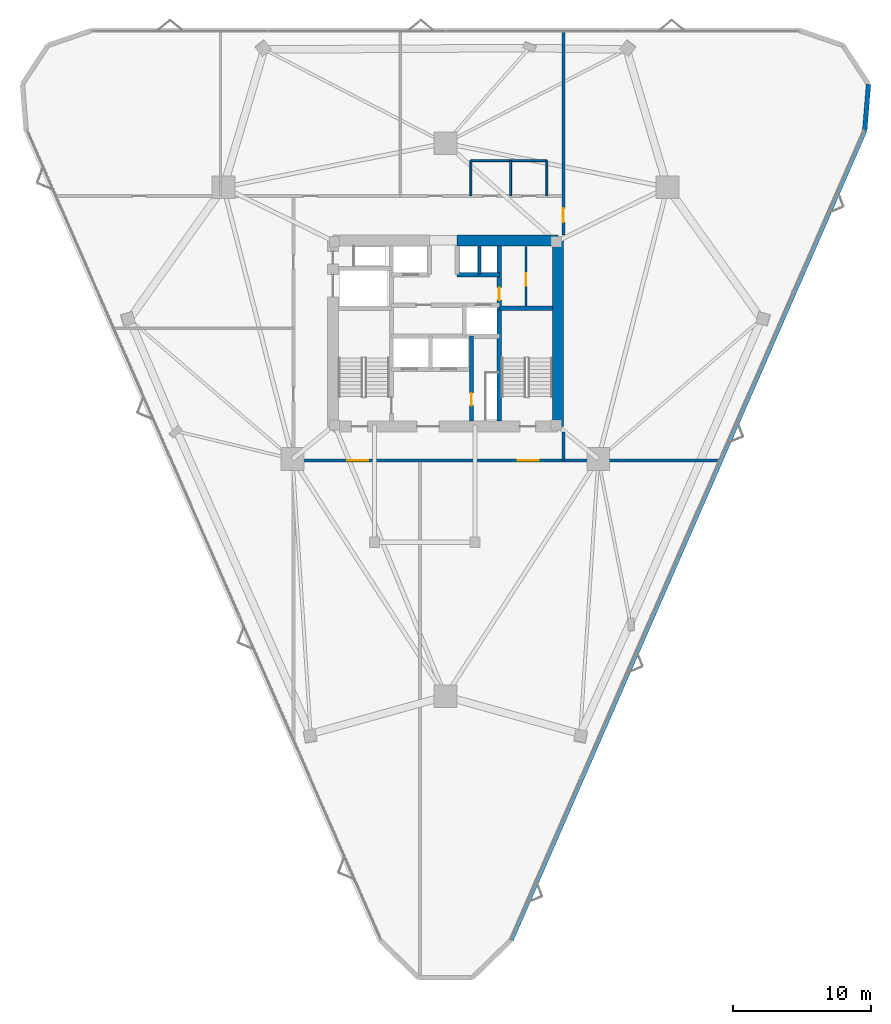
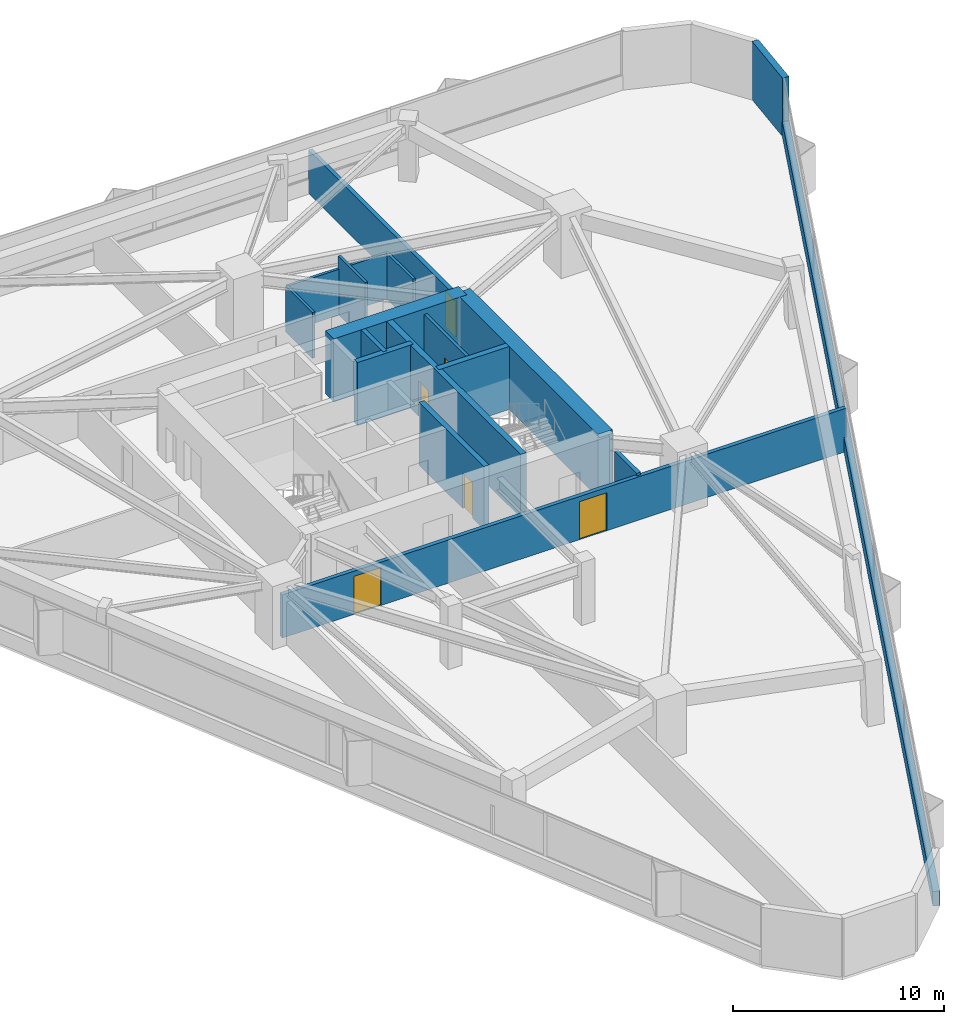
# One storey, part 14 of 16: 17 walls, 6 doors, 6 openings.
"""IFC4 building model written with IfcOpenShell, lengths in metres."""

import ifcopenshell
import ifcopenshell.guid

model = None  # the IFC model being written
_history = None  # IfcOwnerHistory: only IFC2X3 demands one
_inside = {}  # id of a spatial element -> (the spatial element, [elements in it])
_under = {}  # id of a project, library or spatial element -> (it, [spatial elements below it])
_declared = {}  # id of a project -> (the project, [libraries it declares])
_typed = {}  # id of a type object -> (the type object, [elements of that type])
_made_of = {}  # id of a material, layer set ... -> (it, [elements and type objects made of it])


def new_model(schema):
    """Start an empty IFC model of exactly this schema.

    Asked for "IFC4X3", IfcOpenShell would pick the latest addendum, in which some entities
    have other attributes; the version numbers below select the first issue.
    IFC2X3 requires an IfcOwnerHistory on every rooted entity: one is made here for all.
    """
    global model, _history
    if schema == "IFC4X3":
        model = ifcopenshell.file(schema_version=(4, 3, 0, 0))
    else:
        model = ifcopenshell.file(schema=schema)
    _inside.clear()
    _under.clear()
    _declared.clear()
    _typed.clear()
    _made_of.clear()
    _history = None
    if model.schema == "IFC2X3":
        org = make("IfcOrganization", Name="unknown")
        user = make(
            "IfcPersonAndOrganization",
            ThePerson=make("IfcPerson", FamilyName="unknown"),
            TheOrganization=org,
        )
        app = make(
            "IfcApplication",
            ApplicationDeveloper=org,
            Version="unknown",
            ApplicationFullName="unknown",
            ApplicationIdentifier="unknown",
        )
        _history = make(
            "IfcOwnerHistory",
            OwningUser=user,
            OwningApplication=app,
            ChangeAction="ADDED",
            CreationDate=0,
        )
    return model


def make(cls, **values):
    """One entity of the class cls with the attributes given. An attribute that is None is left unset."""
    return model.create_entity(
        cls, **{name: value for name, value in values.items() if value is not None}
    )


def rooted(cls, **values):
    """An entity with a GlobalId (a new one), such as an element, a storey or a relation."""
    return make(cls, GlobalId=ifcopenshell.guid.new(), OwnerHistory=_history, **values)


def si_unit(unit_type, name, prefix=None):
    """IfcSIUnit, for example si_unit("LENGTHUNIT", "METRE", prefix="MILLI")."""
    return make("IfcSIUnit", UnitType=unit_type, Prefix=prefix, Name=name)


def assignment(units):
    """IfcUnitAssignment: the units of a project."""
    return None if units is None else make("IfcUnitAssignment", Units=units)


def point(xyz):
    """IfcCartesianPoint."""
    return None if xyz is None else make("IfcCartesianPoint", Coordinates=xyz)


def direction(xyz):
    """IfcDirection."""
    return None if xyz is None else make("IfcDirection", DirectionRatios=xyz)


def frame(location, z_axis=None, x_axis=None):
    """IfcAxis2Placement3D, a coordinate frame: its origin and axes. An axis left out is left unset."""
    return make(
        "IfcAxis2Placement3D",
        Location=point(location),
        Axis=direction(z_axis),
        RefDirection=direction(x_axis),
    )


def frame_2d(location, x_axis=None):
    """IfcAxis2Placement2D, a coordinate frame in the plane: its origin and x axis."""
    return make(
        "IfcAxis2Placement2D", Location=point(location), RefDirection=direction(x_axis)
    )


def origin():
    """The frame at (0, 0, 0) with its axes left unset."""
    return frame((0.0, 0.0, 0.0))


def place(relative_to, where):
    """IfcLocalPlacement: puts the frame where relative to a parent placement (None: the world)."""
    return make(
        "IfcLocalPlacement", PlacementRelTo=relative_to, RelativePlacement=where
    )


def context(
    kind, dimensions, precision=None, world=None, true_north=None, identifier=None
):
    """IfcGeometricRepresentationContext, for example the 3D "Model" context."""
    return make(
        "IfcGeometricRepresentationContext",
        ContextIdentifier=identifier,
        ContextType=kind,
        CoordinateSpaceDimension=dimensions,
        Precision=precision,
        WorldCoordinateSystem=world,
        TrueNorth=true_north,
    )


def subcontext(parent, identifier, kind, view, scale=None):
    """IfcGeometricRepresentationSubContext, for example "Body" below "Model"."""
    return make(
        "IfcGeometricRepresentationSubContext",
        ContextIdentifier=identifier,
        ContextType=kind,
        ParentContext=parent,
        TargetScale=scale,
        TargetView=view,
    )


def project(units=None, contexts=None):
    """IfcProject with its units and contexts."""
    return rooted(
        "IfcProject",
        Name="project",
        RepresentationContexts=contexts,
        UnitsInContext=assignment(units),
    )


def spatial(cls, under=None, at=None, **own):
    """A site, building, storey or space (cls), placed at a placement, below another one or the project."""
    s = rooted(cls, ObjectPlacement=at, **own)
    if under is not None:
        _under.setdefault(under.id(), (under, []))[1].append(s)
    return s


def profile(cls, at=None, kind="AREA", **sizes):
    """A parametric profile (cls). Its sizes go by their IFC names, for example OverallWidth=200.0."""
    return make(cls, ProfileType=kind, Position=at, **sizes)


def rectangle(**sizes):
    """IfcRectangleProfileDef."""
    return profile("IfcRectangleProfileDef", **sizes)


def extrude(swept, where, along, depth):
    """IfcExtrudedAreaSolid: the profile swept, set in the frame where, extruded along a direction by depth."""
    return make(
        "IfcExtrudedAreaSolid",
        SweptArea=swept,
        Position=where,
        ExtrudedDirection=direction(along),
        Depth=depth,
    )


def shape(context_of_items, identifier, shape_type, items):
    """IfcShapeRepresentation: the items that make up one representation, for example the "Body"."""
    return make(
        "IfcShapeRepresentation",
        ContextOfItems=context_of_items,
        RepresentationIdentifier=identifier,
        RepresentationType=shape_type,
        Items=items,
    )


def material(Name=None, Category=None):
    """IfcMaterial."""
    return make("IfcMaterial", Name=Name, Category=Category)


def layer(
    of_material, thickness, ventilated=None, Name=None, Category=None, Priority=None
):
    """IfcMaterialLayer: one layer of a wall or slab, of a material (None: an air gap)."""
    return make(
        "IfcMaterialLayer",
        Material=of_material,
        LayerThickness=thickness,
        IsVentilated=ventilated,
        Name=Name,
        Category=Category,
        Priority=Priority,
    )


def layer_set(layers, Name=None):
    """IfcMaterialLayerSet."""
    return make("IfcMaterialLayerSet", MaterialLayers=layers, LayerSetName=Name)


def made_of(thing, what):
    """Note that an element or type object is made of a material, layer set ...; save() writes the relation."""
    if what is not None:
        _made_of.setdefault(what.id(), (what, []))[1].append(thing)
    return thing


def type_object(cls, material=None, **own):
    """A type object (cls), such as IfcWallType, which elements share."""
    return made_of(rooted(cls, **own), material)


def element(
    cls,
    number,
    at=None,
    inside=None,
    cuts=None,
    type_object=None,
    material=None,
    context=None,
    identifier="Body",
    shape_type=None,
    held_by="IfcProductDefinitionShape",
    body=None,
    shapes=None,
    **own,
):
    """One element of the class cls, such as IfcWall. Its Tag is "e" and its number.

    at: its placement. inside: the storey or other place that contains it. cuts: it is an
    opening in that element (IfcRelVoidsElement). A single representation is given by context,
    identifier, shape_type and body (its items); several are given by shapes. held_by: the class
    of the entity that holds the representations. save() writes the other relations.
    """
    e = rooted(cls, Tag="e%d" % number, ObjectPlacement=at, **own)
    if body is not None:
        shapes = [shape(context, identifier, shape_type, body)]
    if shapes is not None:
        e.Representation = make(held_by, Representations=shapes)
    if inside is not None:
        _inside.setdefault(inside.id(), (inside, []))[1].append(e)
    if cuts is not None:
        rooted(
            "IfcRelVoidsElement", RelatingBuildingElement=cuts, RelatedOpeningElement=e
        )
    if type_object is not None:
        _typed.setdefault(type_object.id(), (type_object, []))[1].append(e)
    return made_of(e, material)


def fill(opening, filler):
    """IfcRelFillsElement: the door or window that sits in an opening."""
    return rooted(
        "IfcRelFillsElement",
        RelatingOpeningElement=opening,
        RelatedBuildingElement=filler,
    )


def aggregate(whole, parts):
    """IfcRelAggregates: a whole, such as a stair, and the parts it consists of."""
    return rooted("IfcRelAggregates", RelatingObject=whole, RelatedObjects=parts)


def save(model, path):
    """Write the relations noted so far, then the file.

    IfcRelAggregates (storeys below a building ...), IfcRelContainedInSpatialStructure (elements
    in a storey), IfcRelDefinesByType, IfcRelAssociatesMaterial and IfcRelDeclares: one each for
    every whole, place, type object, material and project.
    """
    for whole, parts in _under.values():
        aggregate(whole, parts)
    for where, things in _inside.values():
        rooted(
            "IfcRelContainedInSpatialStructure",
            RelatedElements=things,
            RelatingStructure=where,
        )
    for kind, things in _typed.values():
        rooted("IfcRelDefinesByType", RelatedObjects=things, RelatingType=kind)
    for what, things in _made_of.values():
        rooted("IfcRelAssociatesMaterial", RelatedObjects=things, RelatingMaterial=what)
    for by, libraries in _declared.values():
        rooted("IfcRelDeclares", RelatingContext=by, RelatedDefinitions=libraries)
    model.write(path)


model = new_model("IFC4")

# Units and contexts
model_context = context("Model", 3, precision=1e-05, world=origin(), true_north=direction((0.0, 1.0)))
body_context = subcontext(model_context, "Body", "Model", "MODEL_VIEW")
ifc_project = project(units=[si_unit("LENGTHUNIT", "METRE"), si_unit("AREAUNIT", "SQUARE_METRE"), si_unit("VOLUMEUNIT", "CUBIC_METRE"), si_unit("PLANEANGLEUNIT", "RADIAN"), si_unit("MASSUNIT", "GRAM", prefix="KILO")], contexts=[model_context])

# Site, building, storey
site_placement = place(None, origin())
site = spatial("IfcSite", under=ifc_project, at=site_placement, CompositionType="ELEMENT")
building_placement = place(site_placement, origin())
building = spatial("IfcBuilding", under=site, at=building_placement, Name="Talyreon Biosciences Tower", CompositionType="ELEMENT")
storey_placement = place(building_placement, frame((0.0, 0.0, 107.85009765625)))
storey = spatial("IfcBuildingStorey", under=building, at=storey_placement, Name="L28", CompositionType="ELEMENT", Elevation=107.85009765625)

# Wall
ifc_material_1 = material(Name="Concrete C50/60", Category="concrete")
ifc_layer_1 = layer(ifc_material_1, 0.219970703125)
ifc_layer_set_1 = layer_set([ifc_layer_1], Name="Concrete C50/60")
wall_type_1 = type_object("IfcWallType", Name="CoreShearWall_220", PredefinedType="SHEAR", material=ifc_layer_set_1)
wall_1_placement = place(storey_placement, frame((68.4599609375, 72.25, 0.0), z_axis=(0.0, 0.0, 1.0), x_axis=(0.0, 1.0, 0.0)))
element("IfcWall", 1, at=wall_1_placement, inside=storey, type_object=wall_type_1, Name="L28 Core Shaft Wall SWPHD", PredefinedType="SHEAR", context=body_context, shape_type="SweptSolid", body=[
    extrude(rectangle(XDim=2.10009765625, YDim=0.219970703125, at=frame_2d((1.050048828125, 0.0))), origin(), (0.0, 0.0, 1.0), 3.64990234375),
])

# Wall, opening, door
ifc_layer_2 = layer(ifc_material_1, 0.280029296875)
ifc_layer_set_2 = layer_set([ifc_layer_2], Name="Concrete C50/60")
wall_type_2 = type_object("IfcWallType", Name="CoreShearWall_280", PredefinedType="SHEAR", material=ifc_layer_set_2)
wall_2_placement = place(storey_placement, frame((67.8798828125, 61.64990234375, 0.0), z_axis=(0.0, 0.0, 1.0), x_axis=(0.0, 1.0, 0.0)))
wall_2 = element("IfcWall", 2, at=wall_2_placement, inside=storey, type_object=wall_type_2, Name="L28 Core Shaft Wall SWFFE", PredefinedType="SHEAR", context=body_context, shape_type="SweptSolid", body=[
    extrude(rectangle(XDim=6.150146484375, YDim=0.280029296875, at=frame_2d((3.0751953125, 0.0))), origin(), (0.0, 0.0, 1.0), 3.64990234375),
])
opening_1_placement = place(wall_2_placement, frame((1.10009765625, 0.0, 0.0)))
opening_1 = element("IfcOpeningElement", 3, at=opening_1_placement, cuts=wall_2, Name="Opening DR-L28-RSE", PredefinedType="OPENING", context=body_context, shape_type="SweptSolid", body=[
    extrude(rectangle(XDim=0.919921875, YDim=2.050048828125, at=frame_2d((0.4599609375, 1.02490234375))), frame((0.0, 0.14990234375, 0.0), z_axis=(0.0, -1.0, 0.0), x_axis=(1.0, 0.0, 0.0)), (0.0, 0.0, 1.0), 0.300048828125),
])
ifc_material_2 = material(Name="Painted steel fire-rated riser door", Category="steel")
door_type_1 = type_object("IfcDoorType", Name="RiserPlantAccessDoor_920x2050", OperationType="NOTDEFINED", PredefinedType="DOOR", material=ifc_material_2)
door_1_placement = place(opening_1_placement, origin())
door_1 = element("IfcDoor", 4, at=door_1_placement, inside=storey, type_object=door_type_1, Name="L28 Core Door DR-L28-RSE", OperationType="SINGLE_SWING_RIGHT", OverallHeight=2.050048828125, OverallWidth=0.919921875, PredefinedType="DOOR", context=body_context, shape_type="SweptSolid", body=[
    extrude(rectangle(XDim=0.919921875, YDim=2.050048828125, at=frame_2d((0.4599609375, 1.02490234375))), frame((0.0, 0.02490234375, 0.0), z_axis=(0.0, -1.0, 0.0), x_axis=(1.0, 0.0, 0.0)), (0.0, 0.0, 1.0), 0.050048828125),
])
fill(opening_1, door_1)

ifc_layer_3 = layer(ifc_material_1, 0.320068359375)
ifc_layer_set_3 = layer_set([ifc_layer_3], Name="Concrete C50/60")
wall_type_3 = type_object("IfcWallType", Name="CoreShearWall_320", PredefinedType="SHEAR", material=ifc_layer_set_3)
wall_3_placement = place(storey_placement, frame((69.909912109375, 61.64990234375, 0.0), z_axis=(0.0, 0.0, 1.0), x_axis=(0.0, 1.0, 0.0)))
wall_3 = element("IfcWall", 5, at=wall_3_placement, inside=storey, type_object=wall_type_3, Name="L28 Core Shaft Wall SW2W", PredefinedType="SHEAR", context=body_context, shape_type="SweptSolid", body=[
    extrude(rectangle(XDim=12.7001953125, YDim=0.320068359375, at=frame_2d((6.35009765625, 0.0))), origin(), (0.0, 0.0, 1.0), 3.64990234375),
])
opening_2_placement = place(wall_3_placement, frame((8.75, 0.0, 0.0)))
opening_2 = element("IfcOpeningElement", 6, at=opening_2_placement, cuts=wall_3, Name="Opening DR-L28-CSRV", PredefinedType="OPENING", context=body_context, shape_type="SweptSolid", body=[
    extrude(rectangle(XDim=0.919921875, YDim=2.050048828125, at=frame_2d((0.4599609375, 1.02490234375))), frame((0.0, 0.169921875, 0.0), z_axis=(0.0, -1.0, 0.0), x_axis=(1.0, 0.0, 0.0)), (0.0, 0.0, 1.0), 0.340087890625),
])
door_2_placement = place(opening_2_placement, origin())
door_2 = element("IfcDoor", 7, at=door_2_placement, inside=storey, type_object=door_type_1, Name="L28 Core Door DR-L28-CSRV", OperationType="SINGLE_SWING_RIGHT", OverallHeight=2.050048828125, OverallWidth=0.919921875, PredefinedType="DOOR", context=body_context, shape_type="SweptSolid", body=[
    extrude(rectangle(XDim=0.919921875, YDim=2.050048828125, at=frame_2d((0.4599609375, 1.02490234375))), frame((0.0, 0.02490234375, 0.0), z_axis=(0.0, -1.0, 0.0), x_axis=(1.0, 0.0, 0.0)), (0.0, 0.0, 1.0), 0.050048828125),
])
fill(opening_2, door_2)

# Walls
wall_4_placement = place(storey_placement, frame((69.909912109375, 69.81005859375, 0.0), z_axis=(0.0, 0.0, 1.0), x_axis=(1.0, 0.0, 0.0)))
element("IfcWall", 8, at=wall_4_placement, inside=storey, type_object=wall_type_3, Name="L28 Core Shaft Wall SW2N", PredefinedType="SHEAR", context=body_context, shape_type="SweptSolid", body=[
    extrude(rectangle(XDim=3.840087890625, YDim=0.320068359375, at=frame_2d((1.919921875, 0.0))), origin(), (0.0, 0.0, 1.0), 3.64990234375),
])
wall_5_placement = place(storey_placement, frame((66.85009765625, 72.25, 0.0), z_axis=(0.0, 0.0, 1.0), x_axis=(1.0, 0.0, 0.0)))
element("IfcWall", 9, at=wall_5_placement, inside=storey, type_object=wall_type_3, Name="L28 Core Shaft Wall SWNPE", PredefinedType="SHEAR", context=body_context, shape_type="SweptSolid", body=[
    extrude(rectangle(XDim=3.059814453125, YDim=0.320068359375, at=frame_2d((1.52978515625, 0.0))), origin(), (0.0, 0.0, 1.0), 3.64990234375),
])
ifc_material_3 = material(Name="Concrete C60/75", Category="concrete")
ifc_layer_4 = layer(ifc_material_3, 0.800048828125)
ifc_layer_set_4 = layer_set([ifc_layer_4], Name="Concrete C60/75")
wall_type_4 = type_object("IfcWallType", Name="CoreShearWall_800", PredefinedType="SHEAR", material=ifc_layer_set_4)
wall_6_placement = place(storey_placement, frame((74.14990234375, 61.25, 0.0), z_axis=(0.0, 0.0, 1.0), x_axis=(0.0, 1.0, 0.0)))
element("IfcWall", 10, at=wall_6_placement, inside=storey, type_object=wall_type_4, Name="L28 Core Shear Wall E", PredefinedType="SHEAR", context=body_context, shape_type="SweptSolid", body=[
    extrude(rectangle(XDim=13.5, YDim=0.800048828125, at=frame_2d((6.75, 0.0))), origin(), (0.0, 0.0, 1.0), 3.64990234375),
])
wall_7_placement = place(storey_placement, frame((74.14990234375, 74.75, 0.0), z_axis=(0.0, 0.0, 1.0), x_axis=(-1.0, 0.0, 0.0)))
element("IfcWall", 11, at=wall_7_placement, inside=storey, type_object=wall_type_4, Name="L28 Core Shear Wall NE", PredefinedType="SHEAR", context=body_context, shape_type="SweptSolid", body=[
    extrude(rectangle(XDim=7.2998046875, YDim=0.800048828125, at=frame_2d((3.64990234375, 0.0))), origin(), (0.0, 0.0, 1.0), 3.64990234375),
])

# Wall, openings, doors
ifc_material_4 = material(Name="Gypsum fireboard acoustic stud", Category="gypsum")
ifc_layer_5 = layer(ifc_material_4, 0.219970703125)
ifc_layer_set_5 = layer_set([ifc_layer_5], Name="Gypsum fireboard acoustic stud")
wall_type_5 = type_object("IfcWallType", Name="CorridorRatedPartition_220", PredefinedType="PARTITIONING", material=ifc_layer_set_5)
wall_8_placement = place(storey_placement, frame((54.97998046875, 58.77001953125, 0.0), z_axis=(0.0, 0.0, 1.0), x_axis=(1.0, 0.0, 0.0)))
wall_8 = element("IfcWall", 12, at=wall_8_placement, inside=storey, type_object=wall_type_5, Name="L28 Interior Wall IW-L28-COR-S", PredefinedType="PARTITIONING", context=body_context, shape_type="SweptSolid", body=[
    extrude(rectangle(XDim=30.88818359375, YDim=0.219970703125, at=frame_2d((15.444091796875, 0.0))), origin(), (0.0, 0.0, 1.0), 2.5048828125),
])
opening_3_placement = place(wall_8_placement, frame((3.9130859375, 0.0, 0.0)))
opening_3 = element("IfcOpeningElement", 13, at=opening_3_placement, cuts=wall_8, Name="Opening DR-L28-S1A", PredefinedType="OPENING", context=body_context, shape_type="SweptSolid", body=[
    extrude(rectangle(XDim=1.5, YDim=2.199951171875, at=frame_2d((0.75, 1.10009765625))), frame((0.0, 0.119873046875, 0.0), z_axis=(0.0, -1.0, 0.0), x_axis=(1.0, 0.0, 0.0)), (0.0, 0.0, 1.0), 0.239990234375),
])
opening_4_placement = place(wall_8_placement, frame((16.279052734375, 0.0, 0.0)))
opening_4 = element("IfcOpeningElement", 14, at=opening_4_placement, cuts=wall_8, Name="Opening DR-L28-S2A", PredefinedType="OPENING", context=body_context, shape_type="SweptSolid", body=[
    extrude(rectangle(XDim=1.5, YDim=2.199951171875, at=frame_2d((0.75, 1.10009765625))), frame((0.0, 0.119873046875, 0.0), z_axis=(0.0, -1.0, 0.0), x_axis=(1.0, 0.0, 0.0)), (0.0, 0.0, 1.0), 0.239990234375),
])
ifc_material_5 = material(Name="Vision-panel steel laboratory fire door", Category="steel")
door_type_2 = type_object("IfcDoorType", Name="WetLabDoubleLeafDoor_1500x2200", OperationType="DOUBLE_DOOR_SINGLE_SWING", PredefinedType="DOOR", material=ifc_material_5)
door_3_placement = place(opening_3_placement, origin())
door_3 = element("IfcDoor", 15, at=door_3_placement, inside=storey, type_object=door_type_2, Name="L28 Interior Door DR-L28-S1A", OperationType="DOUBLE_DOOR_SINGLE_SWING", OverallHeight=2.199951171875, OverallWidth=1.5, PredefinedType="DOOR", context=body_context, shape_type="SweptSolid", body=[
    extrude(rectangle(XDim=1.5, YDim=2.199951171875, at=frame_2d((0.75, 1.10009765625))), frame((0.0, 0.02490234375, 0.0), z_axis=(0.0, -1.0, 0.0), x_axis=(1.0, 0.0, 0.0)), (0.0, 0.0, 1.0), 0.050048828125),
])
fill(opening_3, door_3)
door_4_placement = place(opening_4_placement, origin())
door_4 = element("IfcDoor", 16, at=door_4_placement, inside=storey, type_object=door_type_2, Name="L28 Interior Door DR-L28-S2A", OperationType="DOUBLE_DOOR_SINGLE_SWING", OverallHeight=2.199951171875, OverallWidth=1.5, PredefinedType="DOOR", context=body_context, shape_type="SweptSolid", body=[
    extrude(rectangle(XDim=1.5, YDim=2.199951171875, at=frame_2d((0.75, 1.10009765625))), frame((0.0, 0.02490234375, 0.0), z_axis=(0.0, -1.0, 0.0), x_axis=(1.0, 0.0, 0.0)), (0.0, 0.0, 1.0), 0.050048828125),
])
fill(opening_4, door_4)

# Wall, opening, door
wall_9_placement = place(storey_placement, frame((74.550048828125, 75.14990234375, 0.0), z_axis=(0.0, 0.0, 1.0), x_axis=(0.0, 1.0, 0.0)))
wall_9 = element("IfcWall", 17, at=wall_9_placement, inside=storey, type_object=wall_type_5, Name="L28 Interior Wall IW-L28-ECAP-N", PredefinedType="PARTITIONING", context=body_context, shape_type="SweptSolid", body=[
    extrude(rectangle(XDim=14.751708984375, YDim=0.219970703125, at=frame_2d((7.3759765625, 0.0))), origin(), (0.0, 0.0, 1.0), 2.5048828125),
])
opening_5_placement = place(wall_9_placement, frame((0.909912109375, 0.0, 0.0)))
opening_5 = element("IfcOpeningElement", 18, at=opening_5_placement, cuts=wall_9, Name="Opening DR-L28-E1A", PredefinedType="OPENING", context=body_context, shape_type="SweptSolid", body=[
    extrude(rectangle(XDim=1.0, YDim=2.10009765625, at=frame_2d((0.5, 1.050048828125))), frame((0.0, 0.119873046875, 0.0), z_axis=(0.0, -1.0, 0.0), x_axis=(1.0, 0.0, 0.0)), (0.0, 0.0, 1.0), 0.239990234375),
])
ifc_material_6 = material(Name="Acoustic oak veneer office door", Category="wood")
door_type_3 = type_object("IfcDoorType", Name="WriteupOfficeDoor_1000x2100", OperationType="NOTDEFINED", PredefinedType="DOOR", material=ifc_material_6)
door_5_placement = place(opening_5_placement, origin())
door_5 = element("IfcDoor", 19, at=door_5_placement, inside=storey, type_object=door_type_3, Name="L28 Interior Door DR-L28-E1A", OperationType="SINGLE_SWING_LEFT", OverallHeight=2.10009765625, OverallWidth=1.0, PredefinedType="DOOR", context=body_context, shape_type="SweptSolid", body=[
    extrude(rectangle(XDim=1.0, YDim=2.10009765625, at=frame_2d((0.5, 1.050048828125))), frame((0.0, 0.02490234375, 0.0), z_axis=(0.0, -1.0, 0.0), x_axis=(1.0, 0.0, 0.0)), (0.0, 0.0, 1.0), 0.050048828125),
])
fill(opening_5, door_5)

# Wall
wall_10_placement = place(storey_placement, frame((74.550048828125, 58.77001953125, 0.0), z_axis=(0.0, 0.0, 1.0), x_axis=(0.0, 1.0, 0.0)))
element("IfcWall", 20, at=wall_10_placement, inside=storey, type_object=wall_type_5, Name="L28 Interior Wall IW-L28-ECAP-S", PredefinedType="PARTITIONING", context=body_context, shape_type="SweptSolid", body=[
    extrude(rectangle(XDim=2.080078125, YDim=0.219970703125, at=frame_2d((1.0400390625, 0.0))), origin(), (0.0, 0.0, 1.0), 2.65478515625),
])

# Wall, opening, door
ifc_material_7 = material(Name="Gypsum acoustic stud partition", Category="gypsum")
ifc_layer_6 = layer(ifc_material_7, 0.159912109375)
ifc_layer_set_6 = layer_set([ifc_layer_6], Name="Gypsum acoustic stud partition")
wall_type_6 = type_object("IfcWallType", Name="LabSeparationPartition_160", PredefinedType="PARTITIONING", material=ifc_layer_set_6)
wall_11_placement = place(storey_placement, frame((71.85009765625, 70.0, 0.0), z_axis=(0.0, 0.0, 1.0), x_axis=(0.0, 1.0, 0.0)))
wall_11 = element("IfcWall", 21, at=wall_11_placement, inside=storey, type_object=wall_type_6, Name="L28 Interior Wall IW-L28-CSRV-V", PredefinedType="PARTITIONING", context=body_context, shape_type="SweptSolid", body=[
    extrude(rectangle(XDim=4.300048828125, YDim=0.159912109375, at=frame_2d((2.14990234375, 0.0))), origin(), (0.0, 0.0, 1.0), 3.375),
])
opening_6_placement = place(wall_11_placement, frame((1.449951171875, 0.0, 0.0)))
opening_6 = element("IfcOpeningElement", 22, at=opening_6_placement, cuts=wall_11, Name="Opening DR-L28-CSRV-I", PredefinedType="OPENING", context=body_context, shape_type="SweptSolid", body=[
    extrude(rectangle(XDim=0.919921875, YDim=2.050048828125, at=frame_2d((0.4599609375, 1.02490234375))), frame((0.0, 0.08984375, 0.0), z_axis=(0.0, -1.0, 0.0), x_axis=(1.0, 0.0, 0.0)), (0.0, 0.0, 1.0), 0.179931640625),
])
door_6_placement = place(opening_6_placement, origin())
door_6 = element("IfcDoor", 23, at=door_6_placement, inside=storey, type_object=door_type_1, Name="L28 Interior Door DR-L28-CSRV-I", OperationType="SINGLE_SWING_RIGHT", OverallHeight=2.050048828125, OverallWidth=0.919921875, PredefinedType="DOOR", context=body_context, shape_type="SweptSolid", body=[
    extrude(rectangle(XDim=0.919921875, YDim=2.050048828125, at=frame_2d((0.4599609375, 1.02490234375))), frame((0.0, 0.02490234375, 0.0), z_axis=(0.0, -1.0, 0.0), x_axis=(1.0, 0.0, 0.0)), (0.0, 0.0, 1.0), 0.050048828125),
])
fill(opening_6, door_6)

# Walls
ifc_material_8 = material(Name="Precast concrete C45/55", Category="concrete")
ifc_layer_7 = layer(ifc_material_8, 0.340087890625)
ifc_layer_set_7 = layer_set([ifc_layer_7], Name="Precast concrete C45/55")
wall_type_7 = type_object("IfcWallType", Name="PrecastConcreteSpandrelWall_340", PredefinedType="STANDARD", material=ifc_layer_set_7)
wall_12_placement = place(storey_placement, frame((96.693603515625, 86.068115234375, 0.0), z_axis=(0.0, 0.0, 1.0), x_axis=(-0.081458806321, -0.996676709306, 0.0)))
element("IfcWall", 24, at=wall_12_placement, inside=storey, type_object=wall_type_7, Name="L28 Rounded-Corner Concrete Pier 07", PredefinedType="STANDARD", context=body_context, shape_type="SweptSolid", body=[
    extrude(rectangle(XDim=3.374755859375, YDim=0.340087890625, at=frame_2d((1.6875, 0.0))), origin(), (0.0, 0.0, 1.0), 3.375),
])
wall_13_placement = place(storey_placement, frame((96.418701171875, 82.70458984375, 0.0), z_axis=(0.0, 0.0, 1.0), x_axis=(-0.400386830101, -0.916346215293, 0.0)))
element("IfcWall", 25, at=wall_13_placement, inside=storey, type_object=wall_type_7, Name="L28 Expressed Concrete Sill Wall 08", PredefinedType="STANDARD", context=body_context, shape_type="SweptSolid", body=[
    extrude(rectangle(XDim=64.072509765625, YDim=0.340087890625, at=frame_2d((32.0361328125, 0.0))), origin(), (0.0, 0.0, 1.0), 0.849853515625),
])
ifc_material_9 = material(Name="Moisture-resistant cement-board stud", Category="gypsum")
ifc_layer_8 = layer(ifc_material_9, 0.14501953125)
ifc_layer_set_8 = layer_set([ifc_layer_8], Name="Moisture-resistant cement-board stud")
wall_type_8 = type_object("IfcWallType", Name="WetRoomPartition_145", PredefinedType="PARTITIONING", material=ifc_layer_set_8)
wall_14_placement = place(storey_placement, frame((67.85009765625, 77.969970703125, 0.0), z_axis=(0.0, 0.0, 1.0), x_axis=(0.0, 1.0, 0.0)))
element("IfcWall", 26, at=wall_14_placement, inside=storey, type_object=wall_type_8, Name="L28 Interior Wall IW-L28-WCL", PredefinedType="PARTITIONING", context=body_context, shape_type="SweptSolid", body=[
    extrude(rectangle(XDim=2.550048828125, YDim=0.14501953125, at=frame_2d((1.27490234375, 0.0))), origin(), (0.0, 0.0, 1.0), 2.65478515625),
])
wall_15_placement = place(storey_placement, frame((70.72509765625, 77.969970703125, 0.0), z_axis=(0.0, 0.0, 1.0), x_axis=(0.0, 1.0, 0.0)))
element("IfcWall", 27, at=wall_15_placement, inside=storey, type_object=wall_type_8, Name="L28 Interior Wall IW-L28-WCM", PredefinedType="PARTITIONING", context=body_context, shape_type="SweptSolid", body=[
    extrude(rectangle(XDim=2.550048828125, YDim=0.14501953125, at=frame_2d((1.27490234375, 0.0))), origin(), (0.0, 0.0, 1.0), 3.375),
])
wall_16_placement = place(storey_placement, frame((73.35009765625, 77.969970703125, 0.0), z_axis=(0.0, 0.0, 1.0), x_axis=(0.0, 1.0, 0.0)))
element("IfcWall", 28, at=wall_16_placement, inside=storey, type_object=wall_type_8, Name="L28 Interior Wall IW-L28-WCR", PredefinedType="PARTITIONING", context=body_context, shape_type="SweptSolid", body=[
    extrude(rectangle(XDim=2.550048828125, YDim=0.14501953125, at=frame_2d((1.27490234375, 0.0))), origin(), (0.0, 0.0, 1.0), 2.65478515625),
])
wall_17_placement = place(storey_placement, frame((67.85009765625, 80.52001953125, 0.0), z_axis=(0.0, 0.0, 1.0), x_axis=(1.0, 0.0, 0.0)))
element("IfcWall", 29, at=wall_17_placement, inside=storey, type_object=wall_type_8, Name="L28 Interior Wall IW-L28-WCT", PredefinedType="PARTITIONING", context=body_context, shape_type="SweptSolid", body=[
    extrude(rectangle(XDim=5.5, YDim=0.14501953125, at=frame_2d((2.75, 0.0))), origin(), (0.0, 0.0, 1.0), 2.65478515625),
])

save(model, "model.ifc")
